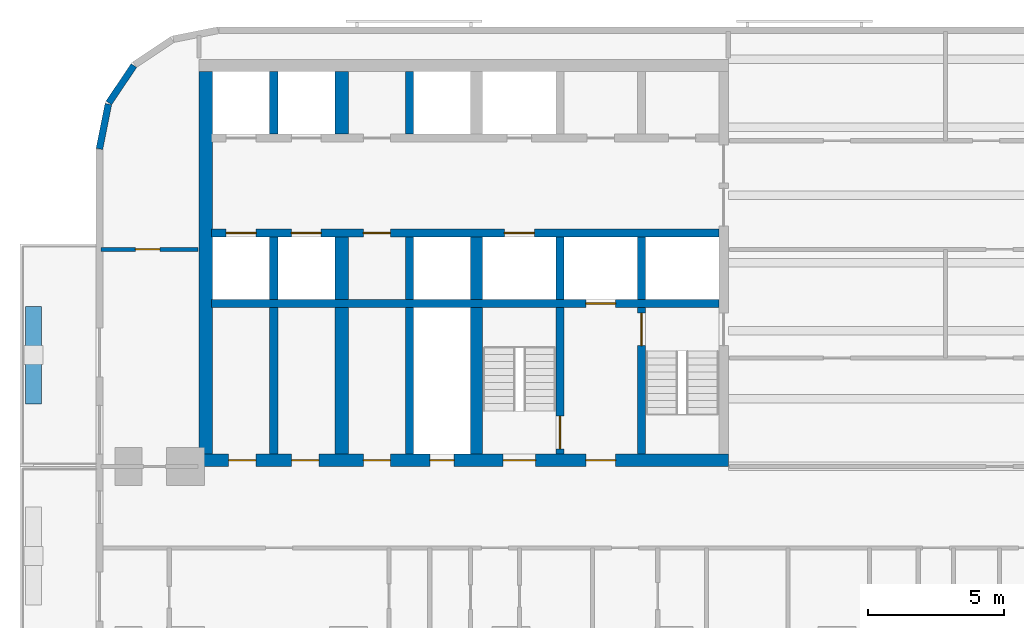
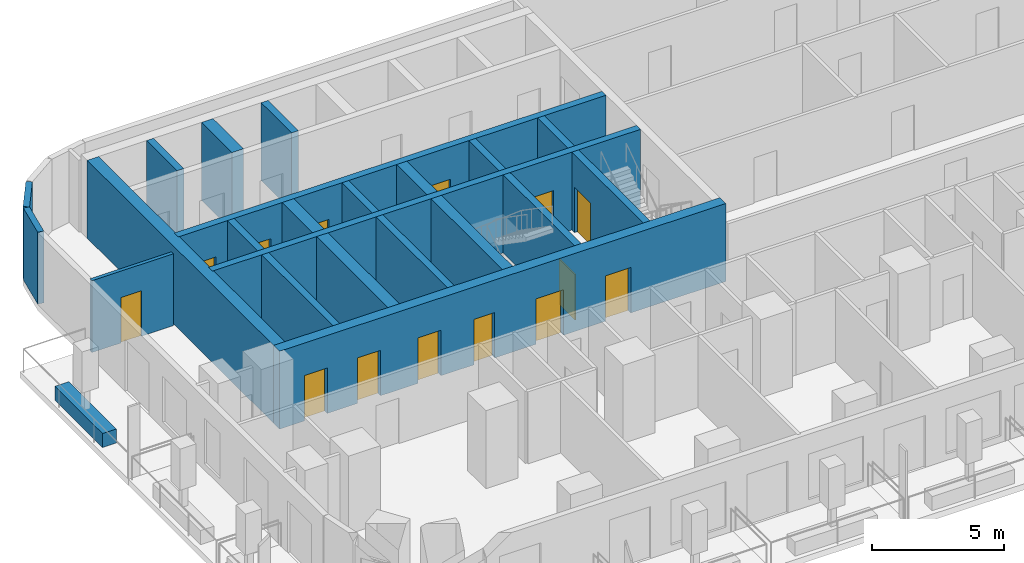
# One storey, part 3 of 14: 23 walls, 14 doors, 14 openings.
"""IFC4 building model written with IfcOpenShell, lengths in metres."""

from ifc_helpers import new_model, si_unit, direction, frame, frame_2d, origin, place, context, subcontext, project, spatial, rectangle, extrude, material, layer, layer_set, type_object, element, fill, save


model = new_model("IFC4")

# Units and contexts
model_context = context("Model", 3, precision=1e-05, world=origin(), true_north=direction((0.0, 1.0)))
body_context = subcontext(model_context, "Body", "Model", "MODEL_VIEW")
ifc_project = project(units=[si_unit("LENGTHUNIT", "METRE"), si_unit("AREAUNIT", "SQUARE_METRE"), si_unit("VOLUMEUNIT", "CUBIC_METRE"), si_unit("PLANEANGLEUNIT", "RADIAN"), si_unit("MASSUNIT", "GRAM", prefix="KILO")], contexts=[model_context])

# Site, building, storey
site_placement = place(None, origin())
site = spatial("IfcSite", under=ifc_project, at=site_placement, CompositionType="ELEMENT")
building_placement = place(site_placement, origin())
building = spatial("IfcBuilding", under=site, at=building_placement, Name="Torana Hotel and Residences", CompositionType="ELEMENT")
storey_placement = place(building_placement, frame((0.0, 0.0, 99.60009765625)))
storey = spatial("IfcBuildingStorey", under=building, at=storey_placement, Name="L25", CompositionType="ELEMENT", Elevation=99.60009765625)

# Wall, openings, doors
ifc_material_1 = material(Name="Concrete C80/95", Category="concrete")
ifc_layer_1 = layer(ifc_material_1, 0.300048828125)
ifc_layer_set_1 = layer_set([ifc_layer_1], Name="CORE WALL 300 C80/95")
wall_type_1 = type_object("IfcWallType", Name="CORE WALL 300 C80/95", PredefinedType="SHEAR", material=ifc_layer_set_1)
wall_1_placement = place(storey_placement, frame((-29.050048828125, -6.39990234375, 0.0), z_axis=(0.0, 0.0, 1.0), x_axis=(1.0, 0.0, 0.0)))
wall_1 = element("IfcWall", 1, at=wall_1_placement, inside=storey, type_object=wall_type_1, Name="Core wall W row-S", PredefinedType="SHEAR", context=body_context, shape_type="SweptSolid", body=[
    extrude(rectangle(XDim=18.699951171875, YDim=0.300048828125, at=frame_2d((9.35009765625, 0.0))), origin(), (0.0, 0.0, 1.0), 3.599853515625),
])
opening_1_placement = place(wall_1_placement, frame((2.949951171875, 0.0, 0.0)))
opening_1 = element("IfcOpeningElement", 2, at=opening_1_placement, cuts=wall_1, Name="Opening LD", PredefinedType="OPENING", context=body_context, shape_type="SweptSolid", body=[
    extrude(rectangle(XDim=1.10009765625, YDim=2.10009765625, at=frame_2d((0.550048828125, 1.050048828125))), frame((0.0, 0.159912109375, 0.0), z_axis=(0.0, -1.0, 0.0), x_axis=(1.0, 0.0, 0.0)), (0.0, 0.0, 1.0), 0.320068359375),
])
opening_2_placement = place(wall_1_placement, frame((0.550048828125, 0.0, 0.0)))
opening_2 = element("IfcOpeningElement", 3, at=opening_2_placement, cuts=wall_1, Name="Opening LD", PredefinedType="OPENING", context=body_context, shape_type="SweptSolid", body=[
    extrude(rectangle(XDim=1.10009765625, YDim=2.10009765625, at=frame_2d((0.550048828125, 1.050048828125))), frame((0.0, 0.159912109375, 0.0), z_axis=(0.0, -1.0, 0.0), x_axis=(1.0, 0.0, 0.0)), (0.0, 0.0, 1.0), 0.320068359375),
])
opening_3_placement = place(wall_1_placement, frame((10.800048828125, 0.0, 0.0)))
opening_3 = element("IfcOpeningElement", 4, at=opening_3_placement, cuts=wall_1, Name="Opening LD", PredefinedType="OPENING", context=body_context, shape_type="SweptSolid", body=[
    extrude(rectangle(XDim=1.10009765625, YDim=2.10009765625, at=frame_2d((0.550048828125, 1.050048828125))), frame((0.0, 0.159912109375, 0.0), z_axis=(0.0, -1.0, 0.0), x_axis=(1.0, 0.0, 0.0)), (0.0, 0.0, 1.0), 0.320068359375),
])
opening_4_placement = place(wall_1_placement, frame((5.60009765625, 0.0, 0.0)))
opening_4 = element("IfcOpeningElement", 5, at=opening_4_placement, cuts=wall_1, Name="Opening L25-14", PredefinedType="OPENING", context=body_context, shape_type="SweptSolid", body=[
    extrude(rectangle(XDim=1.0, YDim=2.10009765625, at=frame_2d((0.5, 1.050048828125))), frame((0.0, 0.159912109375, 0.0), z_axis=(0.0, -1.0, 0.0), x_axis=(1.0, 0.0, 0.0)), (0.0, 0.0, 1.0), 0.320068359375),
])
ifc_material_2 = material(Name="Steel S235", Category="steel")
door_type_1 = type_object("IfcDoorType", Name="CORE ROOM FIRE DOOR D14 1000x2100", OperationType="SINGLE_SWING_LEFT", PredefinedType="DOOR", material=ifc_material_2)
door_1_placement = place(opening_4_placement, frame((0.5, 0.0, 0.0), z_axis=(0.0, 0.0, 1.0), x_axis=(-1.0, 0.0, 0.0)))
door_1 = element("IfcDoor", 6, at=door_1_placement, inside=storey, type_object=door_type_1, Name="Free-M2 door L25", OperationType="SINGLE_SWING_LEFT", OverallHeight=2.10009765625, OverallWidth=1.0, PredefinedType="DOOR", context=body_context, shape_type="SweptSolid", body=[
    extrude(rectangle(XDim=1.0, YDim=2.10009765625, at=frame_2d((0.0, 1.050048828125))), frame((0.0, -0.02490234375, 0.0), z_axis=(0.0, 1.0, 0.0), x_axis=(-1.0, 0.0, 0.0)), (0.0, 0.0, 1.0), 0.050048828125),
])
fill(opening_4, door_1)
ifc_material_3 = material(Name="Stainless steel 316", Category="steel")
door_type_2 = type_object("IfcDoorType", Name="LIFT LANDING DOOR LD 1100x2100", OperationType="DOUBLE_DOOR_SLIDING", PredefinedType="USERDEFINED", material=ifc_material_3)
door_2_placement = place(opening_1_placement, origin())
door_2 = element("IfcDoor", 7, at=door_2_placement, inside=storey, type_object=door_type_2, Name="Lift landing door L3 L25", ObjectType="LIFT LANDING DOOR", OperationType="DOUBLE_DOOR_SLIDING", OverallHeight=2.10009765625, OverallWidth=1.10009765625, PredefinedType="USERDEFINED", context=body_context, shape_type="SweptSolid", body=[
    extrude(rectangle(XDim=1.10009765625, YDim=2.10009765625, at=frame_2d((0.550048828125, 1.050048828125))), frame((0.0, 0.02490234375, 0.0), z_axis=(0.0, -1.0, 0.0), x_axis=(1.0, 0.0, 0.0)), (0.0, 0.0, 1.0), 0.050048828125),
])
fill(opening_1, door_2)
door_3_placement = place(opening_2_placement, origin())
door_3 = element("IfcDoor", 8, at=door_3_placement, inside=storey, type_object=door_type_2, Name="Lift landing door L4 L25", ObjectType="LIFT LANDING DOOR", OperationType="DOUBLE_DOOR_SLIDING", OverallHeight=2.10009765625, OverallWidth=1.10009765625, PredefinedType="USERDEFINED", context=body_context, shape_type="SweptSolid", body=[
    extrude(rectangle(XDim=1.10009765625, YDim=2.10009765625, at=frame_2d((0.550048828125, 1.050048828125))), frame((0.0, 0.02490234375, 0.0), z_axis=(0.0, -1.0, 0.0), x_axis=(1.0, 0.0, 0.0)), (0.0, 0.0, 1.0), 0.050048828125),
])
fill(opening_2, door_3)
door_4_placement = place(opening_3_placement, origin())
door_4 = element("IfcDoor", 9, at=door_4_placement, inside=storey, type_object=door_type_2, Name="Lift landing door SV1 L25", ObjectType="LIFT LANDING DOOR", OperationType="DOUBLE_DOOR_SLIDING", OverallHeight=2.10009765625, OverallWidth=1.10009765625, PredefinedType="USERDEFINED", context=body_context, shape_type="SweptSolid", body=[
    extrude(rectangle(XDim=1.10009765625, YDim=2.10009765625, at=frame_2d((0.550048828125, 1.050048828125))), frame((0.0, 0.02490234375, 0.0), z_axis=(0.0, -1.0, 0.0), x_axis=(1.0, 0.0, 0.0)), (0.0, 0.0, 1.0), 0.050048828125),
])
fill(opening_3, door_4)

# Wall, opening, door
wall_2_placement = place(storey_placement, frame((-29.050048828125, -9.0, 0.0), z_axis=(0.0, 0.0, 1.0), x_axis=(1.0, 0.0, 0.0)))
wall_2 = element("IfcWall", 10, at=wall_2_placement, inside=storey, type_object=wall_type_1, Name="Core wall W band", PredefinedType="SHEAR", context=body_context, shape_type="SweptSolid", body=[
    extrude(rectangle(XDim=18.699951171875, YDim=0.300048828125, at=frame_2d((9.35009765625, 0.0))), origin(), (0.0, 0.0, 1.0), 3.599853515625),
])
opening_5_placement = place(wall_2_placement, frame((13.800048828125, 0.0, 0.0)))
opening_5 = element("IfcOpeningElement", 11, at=opening_5_placement, cuts=wall_2, Name="Opening LD", PredefinedType="OPENING", context=body_context, shape_type="SweptSolid", body=[
    extrude(rectangle(XDim=1.10009765625, YDim=2.10009765625, at=frame_2d((0.550048828125, 1.050048828125))), frame((0.0, 0.159912109375, 0.0), z_axis=(0.0, -1.0, 0.0), x_axis=(1.0, 0.0, 0.0)), (0.0, 0.0, 1.0), 0.320068359375),
])
door_5_placement = place(opening_5_placement, origin())
door_5 = element("IfcDoor", 12, at=door_5_placement, inside=storey, type_object=door_type_2, Name="Lift landing door FF1 L25", ObjectType="LIFT LANDING DOOR", OperationType="DOUBLE_DOOR_SLIDING", OverallHeight=2.10009765625, OverallWidth=1.10009765625, PredefinedType="USERDEFINED", context=body_context, shape_type="SweptSolid", body=[
    extrude(rectangle(XDim=1.10009765625, YDim=2.10009765625, at=frame_2d((0.550048828125, 1.050048828125))), frame((0.0, 0.02490234375, 0.0), z_axis=(0.0, -1.0, 0.0), x_axis=(1.0, 0.0, 0.0)), (0.0, 0.0, 1.0), 0.050048828125),
])
fill(opening_5, door_5)

# Wall
wall_3_placement = place(storey_placement, frame((-13.199951171875, -8.85009765625, 0.0), z_axis=(0.0, 0.0, 1.0), x_axis=(0.0, 1.0, 0.0)))
element("IfcWall", 13, at=wall_3_placement, inside=storey, type_object=wall_type_1, Name="Core wall W x3.05-S", PredefinedType="SHEAR", context=body_context, shape_type="SweptSolid", body=[
    extrude(rectangle(XDim=2.300048828125, YDim=0.300048828125, at=frame_2d((1.14990234375, 0.0))), origin(), (0.0, 0.0, 1.0), 3.599853515625),
])

# Wall, opening, door
wall_4_placement = place(storey_placement, frame((-13.199951171875, -14.550048828125, 0.0), z_axis=(0.0, 0.0, 1.0), x_axis=(0.0, 1.0, 0.0)))
wall_4 = element("IfcWall", 14, at=wall_4_placement, inside=storey, type_object=wall_type_1, Name="Core wall W x3.05-band", PredefinedType="SHEAR", context=body_context, shape_type="SweptSolid", body=[
    extrude(rectangle(XDim=5.400146484375, YDim=0.300048828125, at=frame_2d((2.7001953125, 0.0))), origin(), (0.0, 0.0, 1.0), 3.599853515625),
])
opening_6_placement = place(wall_4_placement, frame((4.0, 0.0, 0.0)))
opening_6 = element("IfcOpeningElement", 15, at=opening_6_placement, cuts=wall_4, Name="Opening L25-15", PredefinedType="OPENING", context=body_context, shape_type="SweptSolid", body=[
    extrude(rectangle(XDim=1.199951171875, YDim=2.10009765625, at=frame_2d((0.60009765625, 1.050048828125))), frame((0.0, 0.159912109375, 0.0), z_axis=(0.0, -1.0, 0.0), x_axis=(1.0, 0.0, 0.0)), (0.0, 0.0, 1.0), 0.320068359375),
])
ifc_material_4 = material(Name="Steel S235", Category="steel")
door_type_3 = type_object("IfcDoorType", Name="STAIR FIRE DOOR D3 1200x2100", OperationType="SINGLE_SWING_LEFT", PredefinedType="DOOR", material=ifc_material_4)
door_6_placement = place(opening_6_placement, frame((0.60009765625, 0.0, 0.0), z_axis=(0.0, 0.0, 1.0), x_axis=(-1.0, 0.0, 0.0)))
door_6 = element("IfcDoor", 16, at=door_6_placement, inside=storey, type_object=door_type_3, Name="Stair-A-lobby door L25", OperationType="SINGLE_SWING_RIGHT", OverallHeight=2.10009765625, OverallWidth=1.199951171875, PredefinedType="DOOR", context=body_context, shape_type="SweptSolid", body=[
    extrude(rectangle(XDim=1.199951171875, YDim=2.10009765625, at=frame_2d((0.0, 1.050048828125))), frame((0.0, -0.02490234375, 0.0), z_axis=(0.0, 1.0, 0.0), x_axis=(-1.0, 0.0, 0.0)), (0.0, 0.0, 1.0), 0.050048828125),
])
fill(opening_6, door_6)

# Wall
wall_5_placement = place(storey_placement, frame((-16.199951171875, -8.85009765625, 0.0), z_axis=(0.0, 0.0, 1.0), x_axis=(0.0, 1.0, 0.0)))
element("IfcWall", 17, at=wall_5_placement, inside=storey, type_object=wall_type_1, Name="Core wall W x6.05-S", PredefinedType="SHEAR", context=body_context, shape_type="SweptSolid", body=[
    extrude(rectangle(XDim=2.300048828125, YDim=0.300048828125, at=frame_2d((1.14990234375, 0.0))), origin(), (0.0, 0.0, 1.0), 3.599853515625),
])

# Wall, opening, door
wall_6_placement = place(storey_placement, frame((-16.199951171875, -14.550048828125, 0.0), z_axis=(0.0, 0.0, 1.0), x_axis=(0.0, 1.0, 0.0)))
wall_6 = element("IfcWall", 18, at=wall_6_placement, inside=storey, type_object=wall_type_1, Name="Core wall W x6.05-band", PredefinedType="SHEAR", context=body_context, shape_type="SweptSolid", body=[
    extrude(rectangle(XDim=5.400146484375, YDim=0.300048828125, at=frame_2d((2.7001953125, 0.0))), origin(), (0.0, 0.0, 1.0), 3.599853515625),
])
opening_7_placement = place(wall_6_placement, frame((0.199951171875, 0.0, 0.0)))
opening_7 = element("IfcOpeningElement", 19, at=opening_7_placement, cuts=wall_6, Name="Opening L25-16", PredefinedType="OPENING", context=body_context, shape_type="SweptSolid", body=[
    extrude(rectangle(XDim=1.199951171875, YDim=2.10009765625, at=frame_2d((0.60009765625, 1.050048828125))), frame((0.0, 0.159912109375, 0.0), z_axis=(0.0, -1.0, 0.0), x_axis=(1.0, 0.0, 0.0)), (0.0, 0.0, 1.0), 0.320068359375),
])
door_7_placement = place(opening_7_placement, origin())
door_7 = element("IfcDoor", 20, at=door_7_placement, inside=storey, type_object=door_type_3, Name="Stair-B-lobby door L25", OperationType="SINGLE_SWING_RIGHT", OverallHeight=2.10009765625, OverallWidth=1.199951171875, PredefinedType="DOOR", context=body_context, shape_type="SweptSolid", body=[
    extrude(rectangle(XDim=1.199951171875, YDim=2.10009765625, at=frame_2d((0.60009765625, 1.050048828125))), frame((0.0, 0.02490234375, 0.0), z_axis=(0.0, -1.0, 0.0), x_axis=(1.0, 0.0, 0.0)), (0.0, 0.0, 1.0), 0.050048828125),
])
fill(opening_7, door_7)

# Walls
for number, where, z_axis, x_axis, name in (
    (21, (-21.75, -2.75, 0.0), (0.0, 0.0, 1.0), (0.0, 1.0, 0.0), "Core wall W mm-N"),
    (22, (-21.75, -8.85009765625, 0.0), (0.0, 0.0, 1.0), (0.0, 1.0, 0.0), "Core wall W mm-S"),
):
    element("IfcWall", number, at=place(storey_placement, frame(where, z_axis=z_axis, x_axis=x_axis)), inside=storey, type_object=wall_type_1, Name=name, PredefinedType="SHEAR", context=body_context, shape_type="SweptSolid", body=[
        extrude(rectangle(XDim=2.300048828125, YDim=0.300048828125, at=frame_2d((1.14990234375, 0.0))), origin(), (0.0, 0.0, 1.0), 3.599853515625),
    ])
wall_7_placement = place(storey_placement, frame((-21.75, -14.550048828125, 0.0), z_axis=(0.0, 0.0, 1.0), x_axis=(0.0, 1.0, 0.0)))
element("IfcWall", 23, at=wall_7_placement, inside=storey, type_object=wall_type_1, Name="Core wall W mm-band", PredefinedType="SHEAR", context=body_context, shape_type="SweptSolid", body=[
    extrude(rectangle(XDim=5.400146484375, YDim=0.300048828125, at=frame_2d((2.7001953125, 0.0))), origin(), (0.0, 0.0, 1.0), 3.599853515625),
])
for number, where, z_axis, x_axis, name in (
    (24, (-26.75, -2.75, 0.0), (0.0, 0.0, 1.0), (0.0, 1.0, 0.0), "Core wall W ll-N"),
    (25, (-26.75, -8.85009765625, 0.0), (0.0, 0.0, 1.0), (0.0, 1.0, 0.0), "Core wall W ll-S"),
):
    element("IfcWall", number, at=place(storey_placement, frame(where, z_axis=z_axis, x_axis=x_axis)), inside=storey, type_object=wall_type_1, Name=name, PredefinedType="SHEAR", context=body_context, shape_type="SweptSolid", body=[
        extrude(rectangle(XDim=2.300048828125, YDim=0.300048828125, at=frame_2d((1.14990234375, 0.0))), origin(), (0.0, 0.0, 1.0), 3.599853515625),
    ])
wall_8_placement = place(storey_placement, frame((-26.75, -14.550048828125, 0.0), z_axis=(0.0, 0.0, 1.0), x_axis=(0.0, 1.0, 0.0)))
element("IfcWall", 26, at=wall_8_placement, inside=storey, type_object=wall_type_1, Name="Core wall W ll-band", PredefinedType="SHEAR", context=body_context, shape_type="SweptSolid", body=[
    extrude(rectangle(XDim=5.400146484375, YDim=0.300048828125, at=frame_2d((2.7001953125, 0.0))), origin(), (0.0, 0.0, 1.0), 3.599853515625),
])

# Wall, openings, doors
ifc_material_5 = material(Name="Concrete C80/95", Category="concrete")
ifc_layer_2 = layer(ifc_material_5, 0.449951171875)
ifc_layer_set_2 = layer_set([ifc_layer_2], Name="CORE WALL 450 C80/95")
wall_type_2 = type_object("IfcWallType", Name="CORE WALL 450 C80/95", PredefinedType="SHEAR", material=ifc_layer_set_2)
wall_9_placement = place(storey_placement, frame((-29.5, -14.77490234375, 0.0), z_axis=(0.0, 0.0, 1.0), x_axis=(1.0, 0.0, 0.0)))
wall_9 = element("IfcWall", 27, at=wall_9_placement, inside=storey, type_object=wall_type_2, Name="Core wall W front", PredefinedType="SHEAR", context=body_context, shape_type="SweptSolid", body=[
    extrude(rectangle(XDim=19.5, YDim=0.449951171875, at=frame_2d((9.75, 0.0))), origin(), (0.0, 0.0, 1.0), 3.599853515625),
])
opening_8_placement = place(wall_9_placement, frame((11.199951171875, 0.0, 0.0)))
opening_8 = element("IfcOpeningElement", 28, at=opening_8_placement, cuts=wall_9, Name="Opening L25-04", PredefinedType="OPENING", context=body_context, shape_type="SweptSolid", body=[
    extrude(rectangle(XDim=1.199951171875, YDim=2.10009765625, at=frame_2d((0.60009765625, 1.050048828125))), frame((0.0, 0.23486328125, 0.0), z_axis=(0.0, -1.0, 0.0), x_axis=(1.0, 0.0, 0.0)), (0.0, 0.0, 1.0), 0.469970703125),
])
opening_9_placement = place(wall_9_placement, frame((14.25, 0.0, 0.0)))
opening_9 = element("IfcOpeningElement", 29, at=opening_9_placement, cuts=wall_9, Name="Opening L25-05", PredefinedType="OPENING", context=body_context, shape_type="SweptSolid", body=[
    extrude(rectangle(XDim=1.10009765625, YDim=2.10009765625, at=frame_2d((0.550048828125, 1.050048828125))), frame((0.0, 0.23486328125, 0.0), z_axis=(0.0, -1.0, 0.0), x_axis=(1.0, 0.0, 0.0)), (0.0, 0.0, 1.0), 0.469970703125),
])
opening_10_placement = place(wall_9_placement, frame((8.5, 0.0, 0.0)))
opening_10 = element("IfcOpeningElement", 30, at=opening_10_placement, cuts=wall_9, Name="Opening L25-06", PredefinedType="OPENING", context=body_context, shape_type="SweptSolid", body=[
    extrude(rectangle(XDim=0.89990234375, YDim=2.10009765625, at=frame_2d((0.449951171875, 1.050048828125))), frame((0.0, 0.23486328125, 0.0), z_axis=(0.0, -1.0, 0.0), x_axis=(1.0, 0.0, 0.0)), (0.0, 0.0, 1.0), 0.469970703125),
])
opening_11_placement = place(wall_9_placement, frame((6.050048828125, 0.0, 0.0)))
opening_11 = element("IfcOpeningElement", 31, at=opening_11_placement, cuts=wall_9, Name="Opening L25-07", PredefinedType="OPENING", context=body_context, shape_type="SweptSolid", body=[
    extrude(rectangle(XDim=1.0, YDim=2.10009765625, at=frame_2d((0.5, 1.050048828125))), frame((0.0, 0.23486328125, 0.0), z_axis=(0.0, -1.0, 0.0), x_axis=(1.0, 0.0, 0.0)), (0.0, 0.0, 1.0), 0.469970703125),
])
opening_12_placement = place(wall_9_placement, frame((3.41259765625, 0.0, 0.0)))
opening_12 = element("IfcOpeningElement", 32, at=opening_12_placement, cuts=wall_9, Name="Opening L25-08", PredefinedType="OPENING", context=body_context, shape_type="SweptSolid", body=[
    extrude(rectangle(XDim=1.0, YDim=2.10009765625, at=frame_2d((0.5, 1.050048828125))), frame((0.0, 0.23486328125, 0.0), z_axis=(0.0, -1.0, 0.0), x_axis=(1.0, 0.0, 0.0)), (0.0, 0.0, 1.0), 0.469970703125),
])
opening_13_placement = place(wall_9_placement, frame((1.08740234375, 0.0, 0.0)))
opening_13 = element("IfcOpeningElement", 33, at=opening_13_placement, cuts=wall_9, Name="Opening L25-09", PredefinedType="OPENING", context=body_context, shape_type="SweptSolid", body=[
    extrude(rectangle(XDim=1.0, YDim=2.10009765625, at=frame_2d((0.5, 1.050048828125))), frame((0.0, 0.23486328125, 0.0), z_axis=(0.0, -1.0, 0.0), x_axis=(1.0, 0.0, 0.0)), (0.0, 0.0, 1.0), 0.469970703125),
])
door_8_placement = place(opening_11_placement, origin())
door_8 = element("IfcDoor", 34, at=door_8_placement, inside=storey, type_object=door_type_1, Name="M-Room door L25", OperationType="SINGLE_SWING_RIGHT", OverallHeight=2.10009765625, OverallWidth=1.0, PredefinedType="DOOR", context=body_context, shape_type="SweptSolid", body=[
    extrude(rectangle(XDim=1.0, YDim=2.10009765625, at=frame_2d((0.5, 1.050048828125))), frame((0.0, 0.02490234375, 0.0), z_axis=(0.0, -1.0, 0.0), x_axis=(1.0, 0.0, 0.0)), (0.0, 0.0, 1.0), 0.050048828125),
])
fill(opening_11, door_8)
door_9_placement = place(opening_12_placement, origin())
door_9 = element("IfcDoor", 35, at=door_9_placement, inside=storey, type_object=door_type_1, Name="L-A door L25", OperationType="SINGLE_SWING_RIGHT", OverallHeight=2.10009765625, OverallWidth=1.0, PredefinedType="DOOR", context=body_context, shape_type="SweptSolid", body=[
    extrude(rectangle(XDim=1.0, YDim=2.10009765625, at=frame_2d((0.5, 1.050048828125))), frame((0.0, 0.02490234375, 0.0), z_axis=(0.0, -1.0, 0.0), x_axis=(1.0, 0.0, 0.0)), (0.0, 0.0, 1.0), 0.050048828125),
])
fill(opening_12, door_9)
door_10_placement = place(opening_13_placement, origin())
door_10 = element("IfcDoor", 36, at=door_10_placement, inside=storey, type_object=door_type_1, Name="L-B door L25", OperationType="SINGLE_SWING_RIGHT", OverallHeight=2.10009765625, OverallWidth=1.0, PredefinedType="DOOR", context=body_context, shape_type="SweptSolid", body=[
    extrude(rectangle(XDim=1.0, YDim=2.10009765625, at=frame_2d((0.5, 1.050048828125))), frame((0.0, 0.02490234375, 0.0), z_axis=(0.0, -1.0, 0.0), x_axis=(1.0, 0.0, 0.0)), (0.0, 0.0, 1.0), 0.050048828125),
])
fill(opening_13, door_10)
ifc_material_6 = material(Name="Steel S235", Category="steel")
door_type_4 = type_object("IfcDoorType", Name="FIRE-FIGHTING LOBBY DOOR D8 1100x2100", OperationType="SINGLE_SWING_LEFT", PredefinedType="DOOR", material=ifc_material_6)
door_11_placement = place(opening_9_placement, origin())
door_11 = element("IfcDoor", 37, at=door_11_placement, inside=storey, type_object=door_type_4, Name="FF-lobby door L25", OperationType="SINGLE_SWING_RIGHT", OverallHeight=2.10009765625, OverallWidth=1.10009765625, PredefinedType="DOOR", context=body_context, shape_type="SweptSolid", body=[
    extrude(rectangle(XDim=1.10009765625, YDim=2.10009765625, at=frame_2d((0.550048828125, 1.050048828125))), frame((0.0, 0.02490234375, 0.0), z_axis=(0.0, -1.0, 0.0), x_axis=(1.0, 0.0, 0.0)), (0.0, 0.0, 1.0), 0.050048828125),
])
fill(opening_9, door_11)
ifc_material_7 = material(Name="Steel S235", Category="steel")
door_type_5 = type_object("IfcDoorType", Name="RISER ACCESS DOOR D5 900x2100", OperationType="SINGLE_SWING_LEFT", PredefinedType="DOOR", material=ifc_material_7)
door_12_placement = place(opening_10_placement, origin())
door_12 = element("IfcDoor", 38, at=door_12_placement, inside=storey, type_object=door_type_5, Name="M-Riser door L25", OperationType="SINGLE_SWING_RIGHT", OverallHeight=2.10009765625, OverallWidth=0.89990234375, PredefinedType="DOOR", context=body_context, shape_type="SweptSolid", body=[
    extrude(rectangle(XDim=0.89990234375, YDim=2.10009765625, at=frame_2d((0.449951171875, 1.050048828125))), frame((0.0, 0.02490234375, 0.0), z_axis=(0.0, -1.0, 0.0), x_axis=(1.0, 0.0, 0.0)), (0.0, 0.0, 1.0), 0.050048828125),
])
fill(opening_10, door_12)
door_13_placement = place(opening_8_placement, origin())
door_13 = element("IfcDoor", 39, at=door_13_placement, inside=storey, type_object=door_type_3, Name="Stair-B door L25", OperationType="SINGLE_SWING_RIGHT", OverallHeight=2.10009765625, OverallWidth=1.199951171875, PredefinedType="DOOR", context=body_context, shape_type="SweptSolid", body=[
    extrude(rectangle(XDim=1.199951171875, YDim=2.10009765625, at=frame_2d((0.60009765625, 1.050048828125))), frame((0.0, 0.02490234375, 0.0), z_axis=(0.0, -1.0, 0.0), x_axis=(1.0, 0.0, 0.0)), (0.0, 0.0, 1.0), 0.050048828125),
])
fill(opening_8, door_13)

# Walls
wall_10_placement = place(storey_placement, frame((-19.27490234375, -8.85009765625, 0.0), z_axis=(0.0, 0.0, 1.0), x_axis=(0.0, 1.0, 0.0)))
element("IfcWall", 40, at=wall_10_placement, inside=storey, type_object=wall_type_2, Name="Core wall W hm-S", PredefinedType="SHEAR", context=body_context, shape_type="SweptSolid", body=[
    extrude(rectangle(XDim=2.300048828125, YDim=0.449951171875, at=frame_2d((1.14990234375, 0.0))), origin(), (0.0, 0.0, 1.0), 3.599853515625),
])
wall_11_placement = place(storey_placement, frame((-19.27490234375, -14.550048828125, 0.0), z_axis=(0.0, 0.0, 1.0), x_axis=(0.0, 1.0, 0.0)))
element("IfcWall", 41, at=wall_11_placement, inside=storey, type_object=wall_type_2, Name="Core wall W hm-band", PredefinedType="SHEAR", context=body_context, shape_type="SweptSolid", body=[
    extrude(rectangle(XDim=5.400146484375, YDim=0.449951171875, at=frame_2d((2.7001953125, 0.0))), origin(), (0.0, 0.0, 1.0), 3.599853515625),
])
ifc_material_8 = material(Name="Concrete C80/95", Category="concrete")
ifc_layer_3 = layer(ifc_material_8, 0.5)
ifc_layer_set_3 = layer_set([ifc_layer_3], Name="CORE WALL 500 C80/95")
wall_type_3 = type_object("IfcWallType", Name="CORE WALL 500 C80/95", PredefinedType="SHEAR", material=ifc_layer_set_3)
wall_12_placement = place(storey_placement, frame((-29.25, -14.550048828125, 0.0), z_axis=(0.0, 0.0, 1.0), x_axis=(0.0, 1.0, 0.0)))
element("IfcWall", 42, at=wall_12_placement, inside=storey, type_object=wall_type_3, Name="Core wall W outer", PredefinedType="SHEAR", context=body_context, shape_type="SweptSolid", body=[
    extrude(rectangle(XDim=14.10009765625, YDim=0.5, at=frame_2d((7.050048828125, 0.0))), origin(), (0.0, 0.0, 1.0), 3.599853515625),
])
for number, where, z_axis, x_axis, name in (
    (43, (-24.25, -2.75, 0.0), (0.0, 0.0, 1.0), (0.0, 1.0, 0.0), "Core wall W ml-N"),
    (44, (-24.25, -8.85009765625, 0.0), (0.0, 0.0, 1.0), (0.0, 1.0, 0.0), "Core wall W ml-S"),
):
    element("IfcWall", number, at=place(storey_placement, frame(where, z_axis=z_axis, x_axis=x_axis)), inside=storey, type_object=wall_type_3, Name=name, PredefinedType="SHEAR", context=body_context, shape_type="SweptSolid", body=[
        extrude(rectangle(XDim=2.300048828125, YDim=0.5, at=frame_2d((1.14990234375, 0.0))), origin(), (0.0, 0.0, 1.0), 3.599853515625),
    ])
wall_13_placement = place(storey_placement, frame((-24.25, -14.550048828125, 0.0), z_axis=(0.0, 0.0, 1.0), x_axis=(0.0, 1.0, 0.0)))
element("IfcWall", 45, at=wall_13_placement, inside=storey, type_object=wall_type_3, Name="Core wall W ml-band", PredefinedType="SHEAR", context=body_context, shape_type="SweptSolid", body=[
    extrude(rectangle(XDim=5.400146484375, YDim=0.5, at=frame_2d((2.7001953125, 0.0))), origin(), (0.0, 0.0, 1.0), 3.599853515625),
])
ifc_material_9 = material(Name="Black aluminium composite panel", Category="aluminium")
ifc_layer_4 = layer(ifc_material_9, 0.00390625, Name="Cladding", Category="cladding")
ifc_material_10 = material(Name="Ventilated air cavity")
ifc_layer_5 = layer(ifc_material_10, 0.0400390625, Name="Ventilated cavity", Category="cavity")
ifc_material_11 = material(Name="Mineral wool insulation")
ifc_layer_6 = layer(ifc_material_11, 0.090087890625, Name="Insulation", Category="insulation")
ifc_material_12 = material(Name="Steel S280GD", Category="steel")
ifc_layer_7 = layer(ifc_material_12, 0.092041015625, Name="Steel stud frame", Category="structure")
ifc_material_13 = material(Name="Fire rated plasterboard")
ifc_layer_8 = layer(ifc_material_13, 0.011962890625, Name="Inner board", Category="finish")
ifc_layer_9 = layer(ifc_material_13, 0.011962890625, Name="Second board", Category="finish")
ifc_layer_set_4 = layer_set([ifc_layer_4, ifc_layer_5, ifc_layer_6, ifc_layer_7, ifc_layer_8, ifc_layer_9], Name="EW1 EXTERNAL WALL BLACK METAL CLAD 250")
wall_type_4 = type_object("IfcWallType", Name="EW1 EXTERNAL WALL BLACK METAL CLAD 250", PredefinedType="SOLIDWALL", material=ifc_layer_set_4)
wall_14_placement = place(storey_placement, frame((-31.90576171875, -0.228759765625, 0.0), z_axis=(0.0, 0.0, 1.0), x_axis=(-0.55555029066, -0.831482937015, 0.0)))
element("IfcWall", 46, at=wall_14_placement, inside=storey, type_object=wall_type_4, Name="External wall L25 e0.7", PredefinedType="SOLIDWALL", context=body_context, shape_type="SweptSolid", body=[
    extrude(rectangle(XDim=1.65625, YDim=0.25, at=frame_2d((0.828125, 0.0))), origin(), (0.0, 0.0, 1.0), 3.31982421875),
])
wall_15_placement = place(storey_placement, frame((-32.844482421875, -1.651123046875, 0.0), z_axis=(0.0, 0.0, 1.0), x_axis=(-0.19513878023, -0.980775640221, 0.0)))
element("IfcWall", 47, at=wall_15_placement, inside=storey, type_object=wall_type_4, Name="External wall L25 e0.8", PredefinedType="SOLIDWALL", context=body_context, shape_type="SweptSolid", body=[
    extrude(rectangle(XDim=1.681396484375, YDim=0.25, at=frame_2d((0.8408203125, 0.0))), origin(), (0.0, 0.0, 1.0), 3.31982421875),
])

# Wall, opening, door
ifc_material_14 = material(Name="Gypsum plasterboard")
ifc_layer_10 = layer(ifc_material_14, 0.012451171875, Name="Plasterboard", Category="finish")
ifc_layer_11 = layer(ifc_material_14, 0.012451171875, Name="Plasterboard", Category="finish")
ifc_layer_12 = layer(ifc_material_12, 0.10009765625, Name="Steel studs with mineral wool", Category="insulation")
ifc_layer_13 = layer(ifc_material_14, 0.012451171875, Name="Plasterboard", Category="finish")
ifc_layer_14 = layer(ifc_material_14, 0.012451171875, Name="Plasterboard", Category="finish")
ifc_layer_set_5 = layer_set([ifc_layer_10, ifc_layer_11, ifc_layer_12, ifc_layer_13, ifc_layer_14], Name="PARTITION 150 PLASTERBOARD")
wall_type_5 = type_object("IfcWallType", Name="PARTITION 150 PLASTERBOARD", PredefinedType="PARTITIONING", material=ifc_layer_set_5)
wall_16_placement = place(storey_placement, frame((-33.1201171875, -7.0, 0.0), z_axis=(0.0, 0.0, 1.0), x_axis=(1.0, 0.0, 0.0)))
wall_16 = element("IfcWall", 48, at=wall_16_placement, inside=storey, type_object=wall_type_5, Name="Partition L25", PredefinedType="PARTITIONING", context=body_context, shape_type="SweptSolid", body=[
    extrude(rectangle(XDim=3.570068359375, YDim=0.14990234375, at=frame_2d((1.78515625, 0.0))), origin(), (0.0, 0.0, 1.0), 3.31982421875),
])
opening_14_placement = place(wall_16_placement, frame((1.27001953125, 0.0, 0.0)))
opening_14 = element("IfcOpeningElement", 49, at=opening_14_placement, cuts=wall_16, Name="Opening L25-71", PredefinedType="OPENING", context=body_context, shape_type="SweptSolid", body=[
    extrude(rectangle(XDim=0.89990234375, YDim=2.10009765625, at=frame_2d((0.449951171875, 1.050048828125))), frame((0.0, 0.0849609375, 0.0), z_axis=(0.0, -1.0, 0.0), x_axis=(1.0, 0.0, 0.0)), (0.0, 0.0, 1.0), 0.169921875),
])
ifc_material_15 = material(Name="Timber door, oiled ash", Category="wood")
door_type_6 = type_object("IfcDoorType", Name="ROOM DOOR D7 900x2100", OperationType="SINGLE_SWING_LEFT", PredefinedType="DOOR", material=ifc_material_15)
door_14_placement = place(opening_14_placement, origin())
door_14 = element("IfcDoor", 50, at=door_14_placement, inside=storey, type_object=door_type_6, Name="Door L25", OperationType="SINGLE_SWING_RIGHT", OverallHeight=2.10009765625, OverallWidth=0.89990234375, PredefinedType="DOOR", context=body_context, shape_type="SweptSolid", body=[
    extrude(rectangle(XDim=0.89990234375, YDim=2.10009765625, at=frame_2d((0.449951171875, 1.050048828125))), frame((0.0, 0.02490234375, 0.0), z_axis=(0.0, -1.0, 0.0), x_axis=(1.0, 0.0, 0.0)), (0.0, 0.0, 1.0), 0.050048828125),
])
fill(opening_14, door_14)

# Wall
ifc_material_16 = material(Name="Concrete C40/50 precast", Category="concrete")
ifc_layer_15 = layer(ifc_material_16, 0.10009765625, Name="Planter shell", Category="structure")
ifc_material_17 = material(Name="Root resistant membrane")
ifc_layer_16 = layer(ifc_material_17, 0.00390625, Name="Waterproofing membrane", Category="membrane")
ifc_material_18 = material(Name="Drainage board with filter fleece")
ifc_layer_17 = layer(ifc_material_18, 0.02001953125, Name="Drainage board", Category="drainage")
ifc_material_19 = material(Name="Growing medium")
ifc_layer_18 = layer(ifc_material_19, 0.47607421875, Name="Planting substrate", Category="soil")
ifc_layer_set_6 = layer_set([ifc_layer_15, ifc_layer_16, ifc_layer_17, ifc_layer_18], Name="PL1 BALCONY PLANTER 600")
wall_type_6 = type_object("IfcWallType", Name="PL1 BALCONY PLANTER 600", PredefinedType="USERDEFINED", material=ifc_layer_set_6)
wall_17_placement = place(storey_placement, frame((-35.60009765625, -12.699951171875, 0.0), z_axis=(0.0, 0.0, 1.0), x_axis=(0.0, 1.0, 0.0)))
element("IfcWall", 51, at=wall_17_placement, inside=storey, type_object=wall_type_6, Name="Planter 13", ObjectType="PLANTER", PredefinedType="USERDEFINED", context=body_context, shape_type="SweptSolid", body=[
    extrude(rectangle(XDim=3.599853515625, YDim=0.60009765625, at=frame_2d((1.7998046875, 0.0))), origin(), (0.0, 0.0, 1.0), 0.64990234375),
])

save(model, "model.ifc")
